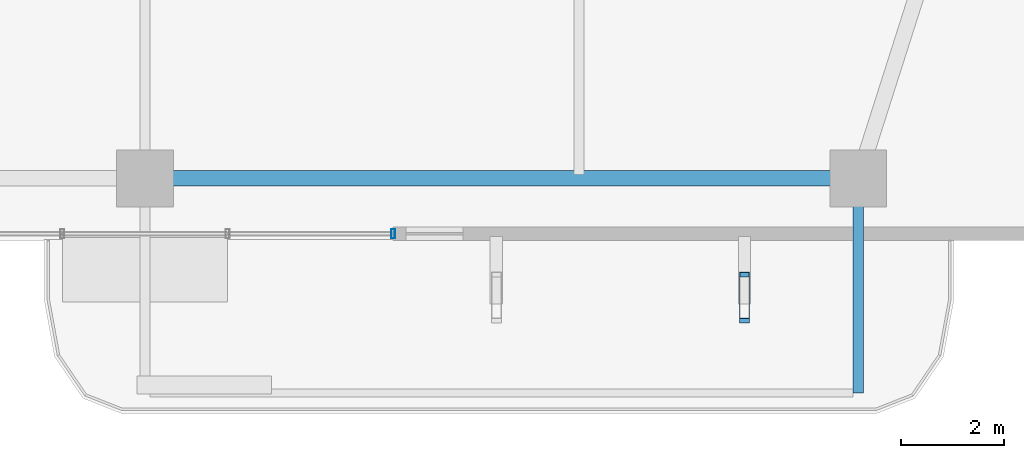
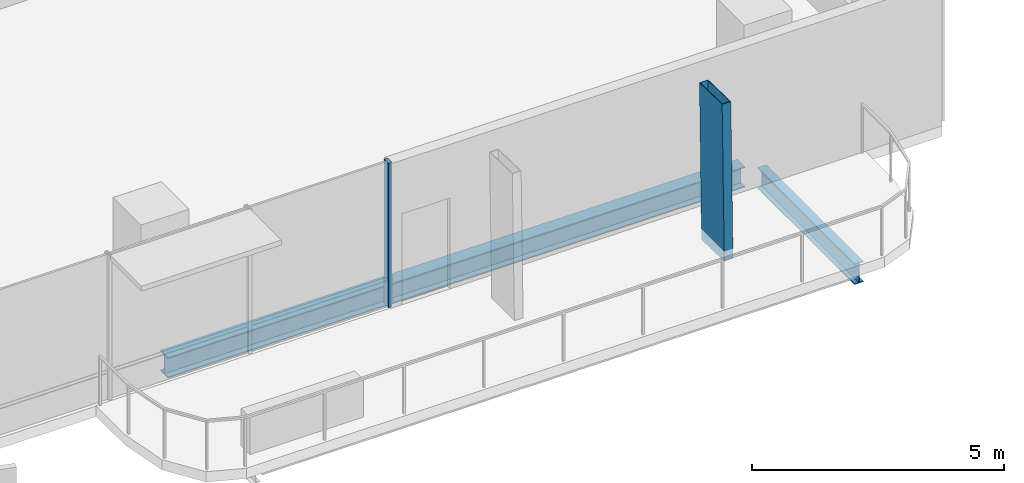
# One storey, part 8 of 25: 2 beams, 2 members, 1 element without a shape of its own.
"""IFC4 building model written with IfcOpenShell, lengths in metres."""

from ifc_helpers import new_model, si_unit, direction, frame, origin, origin_2d, place, context, subcontext, project, spatial, hollow_rectangle, i_section, extrude, material, layer, layer_set, material_profile, profile_set, type_object, element, aggregate, save


model = new_model("IFC4")

# Units and contexts
model_context = context("Model", 3, precision=1e-05, world=origin(), true_north=direction((0.0, 1.0)))
body_context = subcontext(model_context, "Body", "Model", "MODEL_VIEW")
ifc_project = project(units=[si_unit("LENGTHUNIT", "METRE"), si_unit("AREAUNIT", "SQUARE_METRE"), si_unit("VOLUMEUNIT", "CUBIC_METRE"), si_unit("PLANEANGLEUNIT", "RADIAN"), si_unit("MASSUNIT", "GRAM", prefix="KILO")], contexts=[model_context])

# Site, building, storey
site_placement = place(None, origin())
site = spatial("IfcSite", under=ifc_project, at=site_placement, CompositionType="ELEMENT")
building_placement = place(site_placement, origin())
building = spatial("IfcBuilding", under=site, at=building_placement, Name="Belovzor Exchange Tower", CompositionType="ELEMENT")
storey_placement = place(building_placement, frame((0.0, 0.0, 164.550048828125)))
storey = spatial("IfcBuildingStorey", under=building, at=storey_placement, Name="L40", CompositionType="ELEMENT", Elevation=164.550048828125)

# Beam
ifc_material_1 = material(Name="Steel S355", Category="steel")
ifc_material_profile_1 = material_profile(ifc_material_1, i_section(OverallWidth=0.199951171875, OverallDepth=0.5, WebThickness=0.01025390625, FlangeThickness=0.01611328125, at=origin_2d()))
ifc_profile_set_1 = profile_set([ifc_material_profile_1], Name="Steel S355")
beam_type_1 = type_object("IfcBeamType", Name="Planted Balcony Cantilever Beam IPE 500", PredefinedType="BEAM", material=ifc_profile_set_1)
beam_1_placement = place(storey_placement, frame((42.60009765625, 5.39697265625, -0.505126953125), z_axis=(0.0, -1.0, 0.0), x_axis=(1.0, 0.0, 0.0)))
element("IfcBeam", 1, at=beam_1_placement, inside=storey, type_object=beam_type_1, Name="BC-500 Planted Balcony Cantilever Beam IPE 500", PredefinedType="BEAM", context=body_context, shape_type="SweptSolid", body=[
    extrude(i_section(OverallWidth=0.199951171875, OverallDepth=0.5, WebThickness=0.01025390625, FlangeThickness=0.01611328125, at=origin_2d()), origin(), (0.0, 0.0, 1.0), 3.849853515625),
])

# Member
ifc_material_2 = material(Name="Extruded Architectural Terracotta on Steel S355 Carrier", Category="masonry")
ifc_material_profile_2 = material_profile(ifc_material_2, hollow_rectangle(XDim=0.199951171875, YDim=0.89990234375, WallThickness=0.011962890625, at=origin_2d()))
ifc_profile_set_2 = profile_set([ifc_material_profile_2], Name="Extruded Architectural Terracotta on Steel S355 Carrier")
member_type_1 = type_object("IfcMemberType", Name="Sweeping Terracotta Baguette Fin Assembly 1250", PredefinedType="USERDEFINED", material=ifc_profile_set_2)
member_1_placement = place(storey_placement, frame((40.39990234375, 3.35302734375, -0.255126953125), z_axis=(0.0, 0.02317086074, 0.999731519565), x_axis=(-1.0, 0.0, 0.0)))
element("IfcMember", 2, at=member_1_placement, inside=storey, type_object=member_type_1, Name="FIN-TC125 Terracotta Facade Fin L40 S4", ObjectType="FIN", PredefinedType="USERDEFINED", context=body_context, shape_type="SweptSolid", body=[
    extrude(hollow_rectangle(XDim=0.199951171875, YDim=0.89990234375, WallThickness=0.011962890625, at=origin_2d()), origin(), (0.0, 0.0, 1.0), 3.7509765625),
])

# Curtain wall, member
ifc_material_3 = material(Name="Anodised Aluminium Framing", Category="aluminium")
ifc_layer = layer(ifc_material_3, 0.179931640625)
ifc_layer_set = layer_set([ifc_layer], Name="Anodised Aluminium Framing")
curtain_wall_type = type_object("IfcCurtainWallType", Name="Recessed Loggia Low-Iron Triple-Glazed Curtain Wall", PredefinedType="NOTDEFINED", material=ifc_layer_set)
curtain_wall_placement = place(storey_placement, origin())
curtain_wall = element("IfcCurtainWall", 3, at=curtain_wall_placement, inside=storey, type_object=curtain_wall_type, Name="CW3 Recessed Loggia Low-Iron Triple-Glazed Curtain Wall L40", PredefinedType="NOTDEFINED")
ifc_material_4 = material(Name="Steel S355", Category="steel")
ifc_material_profile_3 = material_profile(ifc_material_4, hollow_rectangle(XDim=0.074951171875, YDim=0.179931640625, WallThickness=0.0048828125, at=origin_2d()))
ifc_profile_set_3 = profile_set([ifc_material_profile_3], Name="Steel S355")
member_type_2 = type_object("IfcMemberType", Name="Thermally Broken Curtain Wall Mullion 180x75", PredefinedType="MULLION", material=ifc_profile_set_3)
member_2_placement = place(storey_placement, frame((33.60009765625, 4.6298828125, 0.0), z_axis=(0.0, 0.0, 1.0), x_axis=(-1.0, 0.0, 0.0)))
member_2 = element("IfcMember", 4, at=member_2_placement, type_object=member_type_2, Name="CW-M180 Curtain Wall Mullion 1", PredefinedType="MULLION", context=body_context, shape_type="SweptSolid", body=[
    extrude(hollow_rectangle(XDim=0.074951171875, YDim=0.179931640625, WallThickness=0.0048828125, at=origin_2d()), origin(), (0.0, 0.0, 1.0), 3.494873046875),
])
aggregate(curtain_wall, [member_2])

# Beam
ifc_material_5 = material(Name="Steel S355", Category="steel")
ifc_material_profile_4 = material_profile(ifc_material_5, i_section(OverallWidth=0.300048828125, OverallDepth=0.5, WebThickness=0.014404296875, FlangeThickness=0.028076171875, at=origin_2d()))
ifc_profile_set_4 = profile_set([ifc_material_profile_4], Name="Steel S355")
beam_type_2 = type_object("IfcBeamType", Name="Zone 3 Waist Primary Girder HEB 500", PredefinedType="BEAM", material=ifc_profile_set_4)
beam_2_placement = place(storey_placement, frame((29.10205078125, 5.699951171875, -0.505126953125), z_axis=(1.0, 0.0, 0.0), x_axis=(0.0, 1.0, 0.0)))
element("IfcBeam", 5, at=beam_2_placement, inside=storey, type_object=beam_type_2, Name="FG-Z3 Zone 3 Waist Primary Girder HEB 500", PredefinedType="BEAM", context=body_context, shape_type="SweptSolid", body=[
    extrude(i_section(OverallWidth=0.300048828125, OverallDepth=0.5, WebThickness=0.014404296875, FlangeThickness=0.028076171875, at=origin_2d()), origin(), (0.0, 0.0, 1.0), 13.195068359375),
])

save(model, "model.ifc")
